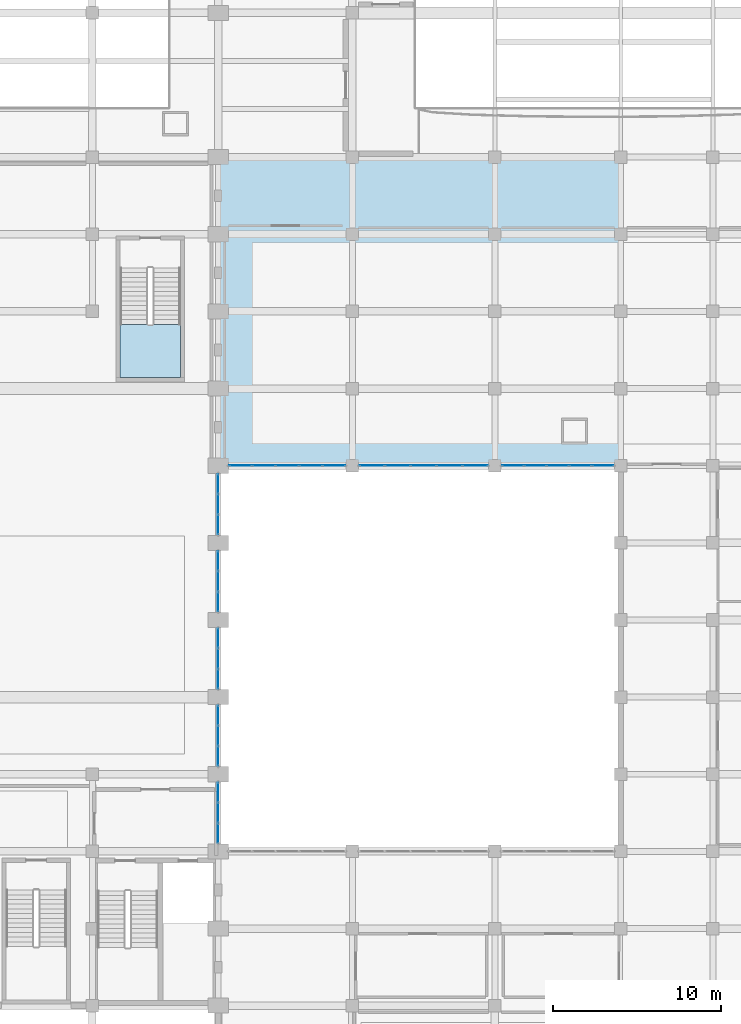
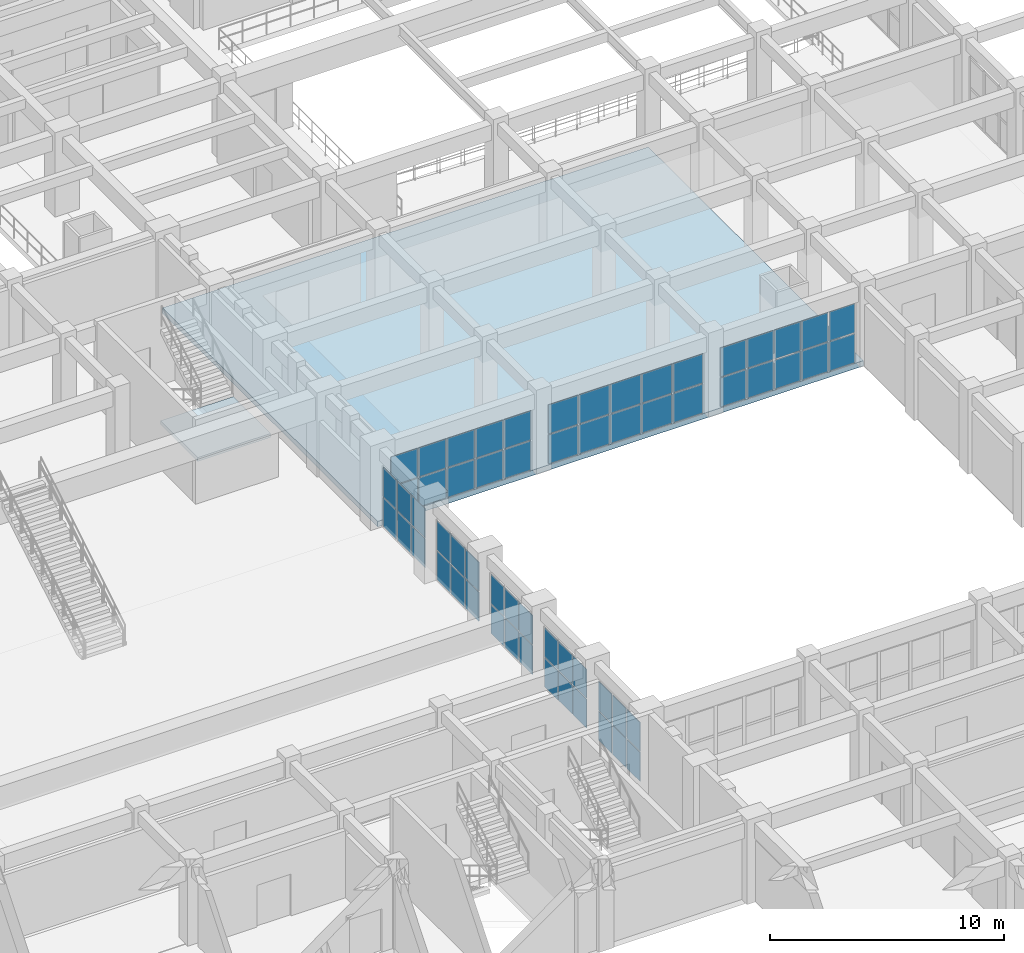
# One storey, part 92 of 116: 60 plates, 2 slabs, 9 elements without a shape of their own.
"""IFC4 building model written with IfcOpenShell, lengths in metres."""

from ifc_helpers import new_model, si_unit, direction, frame, origin, origin_2d, place, context, subcontext, project, spatial, polyline, rectangle, outline, extrude, material, layer, layer_set, type_object, element, aggregate, save


model = new_model("IFC4")

# Units and contexts
model_context = context("Model", 3, precision=1e-05, world=origin(), true_north=direction((0.0, 1.0)))
body_context = subcontext(model_context, "Body", "Model", "MODEL_VIEW")
ifc_project = project(units=[si_unit("LENGTHUNIT", "METRE"), si_unit("AREAUNIT", "SQUARE_METRE"), si_unit("VOLUMEUNIT", "CUBIC_METRE"), si_unit("PLANEANGLEUNIT", "RADIAN"), si_unit("MASSUNIT", "GRAM", prefix="KILO")], contexts=[model_context])

# Site, building, storey
site_placement = place(None, origin())
site = spatial("IfcSite", under=ifc_project, at=site_placement, CompositionType="ELEMENT")
building_placement = place(site_placement, origin())
building = spatial("IfcBuilding", under=site, at=building_placement, Name="Muzn Square Opera House", CompositionType="ELEMENT")
storey_placement = place(building_placement, frame((0.0, 0.0, 5.39990234375)))
storey = spatial("IfcBuildingStorey", under=building, at=storey_placement, Name="L01", CompositionType="ELEMENT", Elevation=5.39990234375)

# Curtain wall, plates
ifc_material_1 = material(Name="Low-E laminated acoustic double glazing", Category="glass")
ifc_layer_1 = layer(ifc_material_1, 0.159912109375, Name="Low-E laminated acoustic double glazing", Category="glass")
ifc_layer_set_1 = layer_set([ifc_layer_1], Name="Low-E laminated acoustic double glazing")
curtain_wall_type_1 = type_object("IfcCurtainWallType", Name="Glazed Curtain Wall EastVaultCourt 3700x3200", PredefinedType="USERDEFINED", material=ifc_layer_set_1)
curtain_wall_1_placement = place(storey_placement, origin())
curtain_wall_1 = element("IfcCurtainWall", 1, at=curtain_wall_1_placement, inside=storey, type_object=curtain_wall_type_1, Name="Glazed Curtain Wall CW-L01-040", ObjectType="GLAZED CURTAIN WALL", PredefinedType="USERDEFINED")
ifc_layer_2 = layer(ifc_material_1, 0.028076171875, Name="Low-E laminated acoustic double glazing", Category="glass")
ifc_layer_set_2 = layer_set([ifc_layer_2], Name="Low-E laminated acoustic double glazing")
plate_type = type_object("IfcPlateType", Name="Curtain Wall Acoustic Glazed Panel 28mm", PredefinedType="CURTAIN_PANEL", material=ifc_layer_set_2)
plate_1_placement = place(storey_placement, frame((133.0, 32.28173828125, 0.06005859375), z_axis=(0.0, 0.0, 1.0), x_axis=(0.0, 1.0, 0.0)))
plate_1 = element("IfcPlate", 2, at=plate_1_placement, type_object=plate_type, Name="CW-EVC-37x32 panel 1.1", PredefinedType="CURTAIN_PANEL", context=body_context, shape_type="SweptSolid", body=[
    extrude(rectangle(XDim=1.143310546875, YDim=0.028076171875, at=origin_2d()), origin(), (0.0, 0.0, 1.0), 1.510009765625),
])
plate_2_placement = place(storey_placement, frame((133.0, 32.28173828125, 1.6298828125), z_axis=(0.0, 0.0, 1.0), x_axis=(0.0, 1.0, 0.0)))
plate_2 = element("IfcPlate", 3, at=plate_2_placement, type_object=plate_type, Name="CW-EVC-37x32 panel 1.2", PredefinedType="CURTAIN_PANEL", context=body_context, shape_type="SweptSolid", body=[
    extrude(rectangle(XDim=1.143310546875, YDim=0.028076171875, at=origin_2d()), origin(), (0.0, 0.0, 1.0), 1.510009765625),
])
plate_3_placement = place(storey_placement, frame((133.0, 33.5, 0.06005859375), z_axis=(0.0, 0.0, 1.0), x_axis=(0.0, 1.0, 0.0)))
plate_3 = element("IfcPlate", 4, at=plate_3_placement, type_object=plate_type, Name="CW-EVC-37x32 panel 2.1", PredefinedType="CURTAIN_PANEL", context=body_context, shape_type="SweptSolid", body=[
    extrude(rectangle(XDim=1.17333984375, YDim=0.028076171875, at=origin_2d()), origin(), (0.0, 0.0, 1.0), 1.510009765625),
])
plate_4_placement = place(storey_placement, frame((133.0, 33.5, 1.6298828125), z_axis=(0.0, 0.0, 1.0), x_axis=(0.0, 1.0, 0.0)))
plate_4 = element("IfcPlate", 5, at=plate_4_placement, type_object=plate_type, Name="CW-EVC-37x32 panel 2.2", PredefinedType="CURTAIN_PANEL", context=body_context, shape_type="SweptSolid", body=[
    extrude(rectangle(XDim=1.17333984375, YDim=0.028076171875, at=origin_2d()), origin(), (0.0, 0.0, 1.0), 1.510009765625),
])
plate_5_placement = place(storey_placement, frame((133.0, 34.71826171875, 0.06005859375), z_axis=(0.0, 0.0, 1.0), x_axis=(0.0, 1.0, 0.0)))
plate_5 = element("IfcPlate", 6, at=plate_5_placement, type_object=plate_type, Name="CW-EVC-37x32 panel 3.1", PredefinedType="CURTAIN_PANEL", context=body_context, shape_type="SweptSolid", body=[
    extrude(rectangle(XDim=1.143310546875, YDim=0.028076171875, at=origin_2d()), origin(), (0.0, 0.0, 1.0), 1.510009765625),
])
plate_6_placement = place(storey_placement, frame((133.0, 34.71826171875, 1.6298828125), z_axis=(0.0, 0.0, 1.0), x_axis=(0.0, 1.0, 0.0)))
plate_6 = element("IfcPlate", 7, at=plate_6_placement, type_object=plate_type, Name="CW-EVC-37x32 panel 3.2", PredefinedType="CURTAIN_PANEL", context=body_context, shape_type="SweptSolid", body=[
    extrude(rectangle(XDim=1.143310546875, YDim=0.028076171875, at=origin_2d()), origin(), (0.0, 0.0, 1.0), 1.510009765625),
])
aggregate(curtain_wall_1, [plate_1, plate_2, plate_3, plate_4, plate_5, plate_6])

curtain_wall_2_placement = place(storey_placement, origin())
curtain_wall_2 = element("IfcCurtainWall", 8, at=curtain_wall_2_placement, inside=storey, type_object=curtain_wall_type_1, Name="Glazed Curtain Wall CW-L01-042", ObjectType="GLAZED CURTAIN WALL", PredefinedType="USERDEFINED")
plate_7_placement = place(storey_placement, frame((133.0, 36.881591796875, 0.06005859375), z_axis=(0.0, 0.0, 1.0), x_axis=(0.0, 1.0, 0.0)))
plate_7 = element("IfcPlate", 9, at=plate_7_placement, type_object=plate_type, Name="CW-EVC-37x32 panel 1.1", PredefinedType="CURTAIN_PANEL", context=body_context, shape_type="SweptSolid", body=[
    extrude(rectangle(XDim=1.143310546875, YDim=0.028076171875, at=origin_2d()), origin(), (0.0, 0.0, 1.0), 1.510009765625),
])
plate_8_placement = place(storey_placement, frame((133.0, 36.881591796875, 1.6298828125), z_axis=(0.0, 0.0, 1.0), x_axis=(0.0, 1.0, 0.0)))
plate_8 = element("IfcPlate", 10, at=plate_8_placement, type_object=plate_type, Name="CW-EVC-37x32 panel 1.2", PredefinedType="CURTAIN_PANEL", context=body_context, shape_type="SweptSolid", body=[
    extrude(rectangle(XDim=1.143310546875, YDim=0.028076171875, at=origin_2d()), origin(), (0.0, 0.0, 1.0), 1.510009765625),
])
plate_9_placement = place(storey_placement, frame((133.0, 38.10009765625, 0.06005859375), z_axis=(0.0, 0.0, 1.0), x_axis=(0.0, 1.0, 0.0)))
plate_9 = element("IfcPlate", 11, at=plate_9_placement, type_object=plate_type, Name="CW-EVC-37x32 panel 2.1", PredefinedType="CURTAIN_PANEL", context=body_context, shape_type="SweptSolid", body=[
    extrude(rectangle(XDim=1.17333984375, YDim=0.028076171875, at=origin_2d()), origin(), (0.0, 0.0, 1.0), 1.510009765625),
])
plate_10_placement = place(storey_placement, frame((133.0, 38.10009765625, 1.6298828125), z_axis=(0.0, 0.0, 1.0), x_axis=(0.0, 1.0, 0.0)))
plate_10 = element("IfcPlate", 12, at=plate_10_placement, type_object=plate_type, Name="CW-EVC-37x32 panel 2.2", PredefinedType="CURTAIN_PANEL", context=body_context, shape_type="SweptSolid", body=[
    extrude(rectangle(XDim=1.17333984375, YDim=0.028076171875, at=origin_2d()), origin(), (0.0, 0.0, 1.0), 1.510009765625),
])
plate_11_placement = place(storey_placement, frame((133.0, 39.318359375, 0.06005859375), z_axis=(0.0, 0.0, 1.0), x_axis=(0.0, 1.0, 0.0)))
plate_11 = element("IfcPlate", 13, at=plate_11_placement, type_object=plate_type, Name="CW-EVC-37x32 panel 3.1", PredefinedType="CURTAIN_PANEL", context=body_context, shape_type="SweptSolid", body=[
    extrude(rectangle(XDim=1.143310546875, YDim=0.028076171875, at=origin_2d()), origin(), (0.0, 0.0, 1.0), 1.510009765625),
])
plate_12_placement = place(storey_placement, frame((133.0, 39.318359375, 1.6298828125), z_axis=(0.0, 0.0, 1.0), x_axis=(0.0, 1.0, 0.0)))
plate_12 = element("IfcPlate", 14, at=plate_12_placement, type_object=plate_type, Name="CW-EVC-37x32 panel 3.2", PredefinedType="CURTAIN_PANEL", context=body_context, shape_type="SweptSolid", body=[
    extrude(rectangle(XDim=1.143310546875, YDim=0.028076171875, at=origin_2d()), origin(), (0.0, 0.0, 1.0), 1.510009765625),
])
aggregate(curtain_wall_2, [plate_7, plate_8, plate_9, plate_10, plate_11, plate_12])

curtain_wall_3_placement = place(storey_placement, origin())
curtain_wall_3 = element("IfcCurtainWall", 15, at=curtain_wall_3_placement, inside=storey, type_object=curtain_wall_type_1, Name="Glazed Curtain Wall CW-L01-044", ObjectType="GLAZED CURTAIN WALL", PredefinedType="USERDEFINED")
plate_13_placement = place(storey_placement, frame((133.0, 41.481689453125, 0.06005859375), z_axis=(0.0, 0.0, 1.0), x_axis=(0.0, 1.0, 0.0)))
plate_13 = element("IfcPlate", 16, at=plate_13_placement, type_object=plate_type, Name="CW-EVC-37x32 panel 1.1", PredefinedType="CURTAIN_PANEL", context=body_context, shape_type="SweptSolid", body=[
    extrude(rectangle(XDim=1.143310546875, YDim=0.028076171875, at=origin_2d()), origin(), (0.0, 0.0, 1.0), 1.510009765625),
])
plate_14_placement = place(storey_placement, frame((133.0, 41.481689453125, 1.6298828125), z_axis=(0.0, 0.0, 1.0), x_axis=(0.0, 1.0, 0.0)))
plate_14 = element("IfcPlate", 17, at=plate_14_placement, type_object=plate_type, Name="CW-EVC-37x32 panel 1.2", PredefinedType="CURTAIN_PANEL", context=body_context, shape_type="SweptSolid", body=[
    extrude(rectangle(XDim=1.143310546875, YDim=0.028076171875, at=origin_2d()), origin(), (0.0, 0.0, 1.0), 1.510009765625),
])
plate_15_placement = place(storey_placement, frame((133.0, 42.699951171875, 0.06005859375), z_axis=(0.0, 0.0, 1.0), x_axis=(0.0, 1.0, 0.0)))
plate_15 = element("IfcPlate", 18, at=plate_15_placement, type_object=plate_type, Name="CW-EVC-37x32 panel 2.1", PredefinedType="CURTAIN_PANEL", context=body_context, shape_type="SweptSolid", body=[
    extrude(rectangle(XDim=1.17333984375, YDim=0.028076171875, at=origin_2d()), origin(), (0.0, 0.0, 1.0), 1.510009765625),
])
plate_16_placement = place(storey_placement, frame((133.0, 42.699951171875, 1.6298828125), z_axis=(0.0, 0.0, 1.0), x_axis=(0.0, 1.0, 0.0)))
plate_16 = element("IfcPlate", 19, at=plate_16_placement, type_object=plate_type, Name="CW-EVC-37x32 panel 2.2", PredefinedType="CURTAIN_PANEL", context=body_context, shape_type="SweptSolid", body=[
    extrude(rectangle(XDim=1.17333984375, YDim=0.028076171875, at=origin_2d()), origin(), (0.0, 0.0, 1.0), 1.510009765625),
])
plate_17_placement = place(storey_placement, frame((133.0, 43.918212890625, 0.06005859375), z_axis=(0.0, 0.0, 1.0), x_axis=(0.0, 1.0, 0.0)))
plate_17 = element("IfcPlate", 20, at=plate_17_placement, type_object=plate_type, Name="CW-EVC-37x32 panel 3.1", PredefinedType="CURTAIN_PANEL", context=body_context, shape_type="SweptSolid", body=[
    extrude(rectangle(XDim=1.143310546875, YDim=0.028076171875, at=origin_2d()), origin(), (0.0, 0.0, 1.0), 1.510009765625),
])
plate_18_placement = place(storey_placement, frame((133.0, 43.918212890625, 1.6298828125), z_axis=(0.0, 0.0, 1.0), x_axis=(0.0, 1.0, 0.0)))
plate_18 = element("IfcPlate", 21, at=plate_18_placement, type_object=plate_type, Name="CW-EVC-37x32 panel 3.2", PredefinedType="CURTAIN_PANEL", context=body_context, shape_type="SweptSolid", body=[
    extrude(rectangle(XDim=1.143310546875, YDim=0.028076171875, at=origin_2d()), origin(), (0.0, 0.0, 1.0), 1.510009765625),
])
aggregate(curtain_wall_3, [plate_13, plate_14, plate_15, plate_16, plate_17, plate_18])

curtain_wall_4_placement = place(storey_placement, origin())
curtain_wall_4 = element("IfcCurtainWall", 22, at=curtain_wall_4_placement, inside=storey, type_object=curtain_wall_type_1, Name="Glazed Curtain Wall CW-L01-046", ObjectType="GLAZED CURTAIN WALL", PredefinedType="USERDEFINED")
plate_19_placement = place(storey_placement, frame((133.0, 46.081787109375, 0.06005859375), z_axis=(0.0, 0.0, 1.0), x_axis=(0.0, 1.0, 0.0)))
plate_19 = element("IfcPlate", 23, at=plate_19_placement, type_object=plate_type, Name="CW-EVC-37x32 panel 1.1", PredefinedType="CURTAIN_PANEL", context=body_context, shape_type="SweptSolid", body=[
    extrude(rectangle(XDim=1.143310546875, YDim=0.028076171875, at=origin_2d()), origin(), (0.0, 0.0, 1.0), 1.510009765625),
])
plate_20_placement = place(storey_placement, frame((133.0, 46.081787109375, 1.6298828125), z_axis=(0.0, 0.0, 1.0), x_axis=(0.0, 1.0, 0.0)))
plate_20 = element("IfcPlate", 24, at=plate_20_placement, type_object=plate_type, Name="CW-EVC-37x32 panel 1.2", PredefinedType="CURTAIN_PANEL", context=body_context, shape_type="SweptSolid", body=[
    extrude(rectangle(XDim=1.143310546875, YDim=0.028076171875, at=origin_2d()), origin(), (0.0, 0.0, 1.0), 1.510009765625),
])
plate_21_placement = place(storey_placement, frame((133.0, 47.300048828125, 0.06005859375), z_axis=(0.0, 0.0, 1.0), x_axis=(0.0, 1.0, 0.0)))
plate_21 = element("IfcPlate", 25, at=plate_21_placement, type_object=plate_type, Name="CW-EVC-37x32 panel 2.1", PredefinedType="CURTAIN_PANEL", context=body_context, shape_type="SweptSolid", body=[
    extrude(rectangle(XDim=1.17333984375, YDim=0.028076171875, at=origin_2d()), origin(), (0.0, 0.0, 1.0), 1.510009765625),
])
plate_22_placement = place(storey_placement, frame((133.0, 47.300048828125, 1.6298828125), z_axis=(0.0, 0.0, 1.0), x_axis=(0.0, 1.0, 0.0)))
plate_22 = element("IfcPlate", 26, at=plate_22_placement, type_object=plate_type, Name="CW-EVC-37x32 panel 2.2", PredefinedType="CURTAIN_PANEL", context=body_context, shape_type="SweptSolid", body=[
    extrude(rectangle(XDim=1.17333984375, YDim=0.028076171875, at=origin_2d()), origin(), (0.0, 0.0, 1.0), 1.510009765625),
])
plate_23_placement = place(storey_placement, frame((133.0, 48.518310546875, 0.06005859375), z_axis=(0.0, 0.0, 1.0), x_axis=(0.0, 1.0, 0.0)))
plate_23 = element("IfcPlate", 27, at=plate_23_placement, type_object=plate_type, Name="CW-EVC-37x32 panel 3.1", PredefinedType="CURTAIN_PANEL", context=body_context, shape_type="SweptSolid", body=[
    extrude(rectangle(XDim=1.143310546875, YDim=0.028076171875, at=origin_2d()), origin(), (0.0, 0.0, 1.0), 1.510009765625),
])
plate_24_placement = place(storey_placement, frame((133.0, 48.518310546875, 1.6298828125), z_axis=(0.0, 0.0, 1.0), x_axis=(0.0, 1.0, 0.0)))
plate_24 = element("IfcPlate", 28, at=plate_24_placement, type_object=plate_type, Name="CW-EVC-37x32 panel 3.2", PredefinedType="CURTAIN_PANEL", context=body_context, shape_type="SweptSolid", body=[
    extrude(rectangle(XDim=1.143310546875, YDim=0.028076171875, at=origin_2d()), origin(), (0.0, 0.0, 1.0), 1.510009765625),
])
aggregate(curtain_wall_4, [plate_19, plate_20, plate_21, plate_22, plate_23, plate_24])

curtain_wall_5_placement = place(storey_placement, origin())
curtain_wall_5 = element("IfcCurtainWall", 29, at=curtain_wall_5_placement, inside=storey, type_object=curtain_wall_type_1, Name="Glazed Curtain Wall CW-L01-048", ObjectType="GLAZED CURTAIN WALL", PredefinedType="USERDEFINED")
plate_25_placement = place(storey_placement, frame((133.0, 50.681640625, 0.06005859375), z_axis=(0.0, 0.0, 1.0), x_axis=(0.0, 1.0, 0.0)))
plate_25 = element("IfcPlate", 30, at=plate_25_placement, type_object=plate_type, Name="CW-EVC-37x32 panel 1.1", PredefinedType="CURTAIN_PANEL", context=body_context, shape_type="SweptSolid", body=[
    extrude(rectangle(XDim=1.143310546875, YDim=0.028076171875, at=origin_2d()), origin(), (0.0, 0.0, 1.0), 1.510009765625),
])
plate_26_placement = place(storey_placement, frame((133.0, 50.681640625, 1.6298828125), z_axis=(0.0, 0.0, 1.0), x_axis=(0.0, 1.0, 0.0)))
plate_26 = element("IfcPlate", 31, at=plate_26_placement, type_object=plate_type, Name="CW-EVC-37x32 panel 1.2", PredefinedType="CURTAIN_PANEL", context=body_context, shape_type="SweptSolid", body=[
    extrude(rectangle(XDim=1.143310546875, YDim=0.028076171875, at=origin_2d()), origin(), (0.0, 0.0, 1.0), 1.510009765625),
])
plate_27_placement = place(storey_placement, frame((133.0, 51.89990234375, 0.06005859375), z_axis=(0.0, 0.0, 1.0), x_axis=(0.0, 1.0, 0.0)))
plate_27 = element("IfcPlate", 32, at=plate_27_placement, type_object=plate_type, Name="CW-EVC-37x32 panel 2.1", PredefinedType="CURTAIN_PANEL", context=body_context, shape_type="SweptSolid", body=[
    extrude(rectangle(XDim=1.17333984375, YDim=0.028076171875, at=origin_2d()), origin(), (0.0, 0.0, 1.0), 1.510009765625),
])
plate_28_placement = place(storey_placement, frame((133.0, 51.89990234375, 1.6298828125), z_axis=(0.0, 0.0, 1.0), x_axis=(0.0, 1.0, 0.0)))
plate_28 = element("IfcPlate", 33, at=plate_28_placement, type_object=plate_type, Name="CW-EVC-37x32 panel 2.2", PredefinedType="CURTAIN_PANEL", context=body_context, shape_type="SweptSolid", body=[
    extrude(rectangle(XDim=1.17333984375, YDim=0.028076171875, at=origin_2d()), origin(), (0.0, 0.0, 1.0), 1.510009765625),
])
plate_29_placement = place(storey_placement, frame((133.0, 53.118408203125, 0.06005859375), z_axis=(0.0, 0.0, 1.0), x_axis=(0.0, 1.0, 0.0)))
plate_29 = element("IfcPlate", 34, at=plate_29_placement, type_object=plate_type, Name="CW-EVC-37x32 panel 3.1", PredefinedType="CURTAIN_PANEL", context=body_context, shape_type="SweptSolid", body=[
    extrude(rectangle(XDim=1.143310546875, YDim=0.028076171875, at=origin_2d()), origin(), (0.0, 0.0, 1.0), 1.510009765625),
])
plate_30_placement = place(storey_placement, frame((133.0, 53.118408203125, 1.6298828125), z_axis=(0.0, 0.0, 1.0), x_axis=(0.0, 1.0, 0.0)))
plate_30 = element("IfcPlate", 35, at=plate_30_placement, type_object=plate_type, Name="CW-EVC-37x32 panel 3.2", PredefinedType="CURTAIN_PANEL", context=body_context, shape_type="SweptSolid", body=[
    extrude(rectangle(XDim=1.143310546875, YDim=0.028076171875, at=origin_2d()), origin(), (0.0, 0.0, 1.0), 1.510009765625),
])
aggregate(curtain_wall_5, [plate_25, plate_26, plate_27, plate_28, plate_29, plate_30])

ifc_layer_3 = layer(ifc_material_1, 0.159912109375, Name="Low-E laminated acoustic double glazing", Category="glass")
ifc_layer_set_3 = layer_set([ifc_layer_3], Name="Low-E laminated acoustic double glazing")
curtain_wall_type_2 = type_object("IfcCurtainWallType", Name="Glazed Curtain Wall EastCloisterN 7025x3200", PredefinedType="USERDEFINED", material=ifc_layer_set_3)
curtain_wall_6_placement = place(storey_placement, origin())
curtain_wall_6 = element("IfcCurtainWall", 36, at=curtain_wall_6_placement, inside=storey, type_object=curtain_wall_type_2, Name="Glazed Curtain Wall CW-L01-088", ObjectType="GLAZED CURTAIN WALL", PredefinedType="USERDEFINED")
plate_31_placement = place(storey_placement, frame((134.3173828125, 54.199951171875, 0.06005859375), z_axis=(0.0, 0.0, 1.0), x_axis=(1.0, 0.0, 0.0)))
plate_31 = element("IfcPlate", 37, at=plate_31_placement, type_object=plate_type, Name="CW-ECN-70x32 panel 1.1", PredefinedType="CURTAIN_PANEL", context=body_context, shape_type="SweptSolid", body=[
    extrude(rectangle(XDim=1.31494140625, YDim=0.028076171875, at=origin_2d()), origin(), (0.0, 0.0, 1.0), 1.510009765625),
])
plate_32_placement = place(storey_placement, frame((134.3173828125, 54.199951171875, 1.6298828125), z_axis=(0.0, 0.0, 1.0), x_axis=(1.0, 0.0, 0.0)))
plate_32 = element("IfcPlate", 38, at=plate_32_placement, type_object=plate_type, Name="CW-ECN-70x32 panel 1.2", PredefinedType="CURTAIN_PANEL", context=body_context, shape_type="SweptSolid", body=[
    extrude(rectangle(XDim=1.31494140625, YDim=0.028076171875, at=origin_2d()), origin(), (0.0, 0.0, 1.0), 1.510009765625),
])
plate_33_placement = place(storey_placement, frame((135.70751953125, 54.199951171875, 0.06005859375), z_axis=(0.0, 0.0, 1.0), x_axis=(1.0, 0.0, 0.0)))
plate_33 = element("IfcPlate", 39, at=plate_33_placement, type_object=plate_type, Name="CW-ECN-70x32 panel 2.1", PredefinedType="CURTAIN_PANEL", context=body_context, shape_type="SweptSolid", body=[
    extrude(rectangle(XDim=1.344970703125, YDim=0.028076171875, at=origin_2d()), origin(), (0.0, 0.0, 1.0), 1.510009765625),
])
plate_34_placement = place(storey_placement, frame((135.70751953125, 54.199951171875, 1.6298828125), z_axis=(0.0, 0.0, 1.0), x_axis=(1.0, 0.0, 0.0)))
plate_34 = element("IfcPlate", 40, at=plate_34_placement, type_object=plate_type, Name="CW-ECN-70x32 panel 2.2", PredefinedType="CURTAIN_PANEL", context=body_context, shape_type="SweptSolid", body=[
    extrude(rectangle(XDim=1.344970703125, YDim=0.028076171875, at=origin_2d()), origin(), (0.0, 0.0, 1.0), 1.510009765625),
])
plate_35_placement = place(storey_placement, frame((137.112548828125, 54.199951171875, 0.06005859375), z_axis=(0.0, 0.0, 1.0), x_axis=(1.0, 0.0, 0.0)))
plate_35 = element("IfcPlate", 41, at=plate_35_placement, type_object=plate_type, Name="CW-ECN-70x32 panel 3.1", PredefinedType="CURTAIN_PANEL", context=body_context, shape_type="SweptSolid", body=[
    extrude(rectangle(XDim=1.344970703125, YDim=0.028076171875, at=origin_2d()), origin(), (0.0, 0.0, 1.0), 1.510009765625),
])
plate_36_placement = place(storey_placement, frame((137.112548828125, 54.199951171875, 1.6298828125), z_axis=(0.0, 0.0, 1.0), x_axis=(1.0, 0.0, 0.0)))
plate_36 = element("IfcPlate", 42, at=plate_36_placement, type_object=plate_type, Name="CW-ECN-70x32 panel 3.2", PredefinedType="CURTAIN_PANEL", context=body_context, shape_type="SweptSolid", body=[
    extrude(rectangle(XDim=1.344970703125, YDim=0.028076171875, at=origin_2d()), origin(), (0.0, 0.0, 1.0), 1.510009765625),
])
plate_37_placement = place(storey_placement, frame((138.517578125, 54.199951171875, 0.06005859375), z_axis=(0.0, 0.0, 1.0), x_axis=(1.0, 0.0, 0.0)))
plate_37 = element("IfcPlate", 43, at=plate_37_placement, type_object=plate_type, Name="CW-ECN-70x32 panel 4.1", PredefinedType="CURTAIN_PANEL", context=body_context, shape_type="SweptSolid", body=[
    extrude(rectangle(XDim=1.344970703125, YDim=0.028076171875, at=origin_2d()), origin(), (0.0, 0.0, 1.0), 1.510009765625),
])
plate_38_placement = place(storey_placement, frame((138.517578125, 54.199951171875, 1.6298828125), z_axis=(0.0, 0.0, 1.0), x_axis=(1.0, 0.0, 0.0)))
plate_38 = element("IfcPlate", 44, at=plate_38_placement, type_object=plate_type, Name="CW-ECN-70x32 panel 4.2", PredefinedType="CURTAIN_PANEL", context=body_context, shape_type="SweptSolid", body=[
    extrude(rectangle(XDim=1.344970703125, YDim=0.028076171875, at=origin_2d()), origin(), (0.0, 0.0, 1.0), 1.510009765625),
])
plate_39_placement = place(storey_placement, frame((139.907470703125, 54.199951171875, 0.06005859375), z_axis=(0.0, 0.0, 1.0), x_axis=(1.0, 0.0, 0.0)))
plate_39 = element("IfcPlate", 45, at=plate_39_placement, type_object=plate_type, Name="CW-ECN-70x32 panel 5.1", PredefinedType="CURTAIN_PANEL", context=body_context, shape_type="SweptSolid", body=[
    extrude(rectangle(XDim=1.31494140625, YDim=0.028076171875, at=origin_2d()), origin(), (0.0, 0.0, 1.0), 1.510009765625),
])
plate_40_placement = place(storey_placement, frame((139.907470703125, 54.199951171875, 1.6298828125), z_axis=(0.0, 0.0, 1.0), x_axis=(1.0, 0.0, 0.0)))
plate_40 = element("IfcPlate", 46, at=plate_40_placement, type_object=plate_type, Name="CW-ECN-70x32 panel 5.2", PredefinedType="CURTAIN_PANEL", context=body_context, shape_type="SweptSolid", body=[
    extrude(rectangle(XDim=1.31494140625, YDim=0.028076171875, at=origin_2d()), origin(), (0.0, 0.0, 1.0), 1.510009765625),
])
aggregate(curtain_wall_6, [plate_31, plate_32, plate_33, plate_34, plate_35, plate_36, plate_37, plate_38, plate_39, plate_40])

ifc_layer_4 = layer(ifc_material_1, 0.159912109375, Name="Low-E laminated acoustic double glazing", Category="glass")
ifc_layer_set_4 = layer_set([ifc_layer_4], Name="Low-E laminated acoustic double glazing")
curtain_wall_type_3 = type_object("IfcCurtainWallType", Name="Glazed Curtain Wall EastCloisterN 7750x3200", PredefinedType="USERDEFINED", material=ifc_layer_set_4)
curtain_wall_7_placement = place(storey_placement, origin())
curtain_wall_7 = element("IfcCurtainWall", 47, at=curtain_wall_7_placement, inside=storey, type_object=curtain_wall_type_3, Name="Glazed Curtain Wall CW-L01-090", ObjectType="GLAZED CURTAIN WALL", PredefinedType="USERDEFINED")
plate_41_placement = place(storey_placement, frame((142.1650390625, 54.199951171875, 0.06005859375), z_axis=(0.0, 0.0, 1.0), x_axis=(1.0, 0.0, 0.0)))
plate_41 = element("IfcPlate", 48, at=plate_41_placement, type_object=plate_type, Name="CW-ECN-77x32 panel 1.1", PredefinedType="CURTAIN_PANEL", context=body_context, shape_type="SweptSolid", body=[
    extrude(rectangle(XDim=1.4599609375, YDim=0.028076171875, at=origin_2d()), origin(), (0.0, 0.0, 1.0), 1.510009765625),
])
plate_42_placement = place(storey_placement, frame((142.1650390625, 54.199951171875, 1.6298828125), z_axis=(0.0, 0.0, 1.0), x_axis=(1.0, 0.0, 0.0)))
plate_42 = element("IfcPlate", 49, at=plate_42_placement, type_object=plate_type, Name="CW-ECN-77x32 panel 1.2", PredefinedType="CURTAIN_PANEL", context=body_context, shape_type="SweptSolid", body=[
    extrude(rectangle(XDim=1.4599609375, YDim=0.028076171875, at=origin_2d()), origin(), (0.0, 0.0, 1.0), 1.510009765625),
])
plate_43_placement = place(storey_placement, frame((143.699951171875, 54.199951171875, 0.06005859375), z_axis=(0.0, 0.0, 1.0), x_axis=(1.0, 0.0, 0.0)))
plate_43 = element("IfcPlate", 50, at=plate_43_placement, type_object=plate_type, Name="CW-ECN-77x32 panel 2.1", PredefinedType="CURTAIN_PANEL", context=body_context, shape_type="SweptSolid", body=[
    extrude(rectangle(XDim=1.489990234375, YDim=0.028076171875, at=origin_2d()), origin(), (0.0, 0.0, 1.0), 1.510009765625),
])
plate_44_placement = place(storey_placement, frame((143.699951171875, 54.199951171875, 1.6298828125), z_axis=(0.0, 0.0, 1.0), x_axis=(1.0, 0.0, 0.0)))
plate_44 = element("IfcPlate", 51, at=plate_44_placement, type_object=plate_type, Name="CW-ECN-77x32 panel 2.2", PredefinedType="CURTAIN_PANEL", context=body_context, shape_type="SweptSolid", body=[
    extrude(rectangle(XDim=1.489990234375, YDim=0.028076171875, at=origin_2d()), origin(), (0.0, 0.0, 1.0), 1.510009765625),
])
plate_45_placement = place(storey_placement, frame((145.25, 54.199951171875, 0.06005859375), z_axis=(0.0, 0.0, 1.0), x_axis=(1.0, 0.0, 0.0)))
plate_45 = element("IfcPlate", 52, at=plate_45_placement, type_object=plate_type, Name="CW-ECN-77x32 panel 3.1", PredefinedType="CURTAIN_PANEL", context=body_context, shape_type="SweptSolid", body=[
    extrude(rectangle(XDim=1.489990234375, YDim=0.028076171875, at=origin_2d()), origin(), (0.0, 0.0, 1.0), 1.510009765625),
])
plate_46_placement = place(storey_placement, frame((145.25, 54.199951171875, 1.6298828125), z_axis=(0.0, 0.0, 1.0), x_axis=(1.0, 0.0, 0.0)))
plate_46 = element("IfcPlate", 53, at=plate_46_placement, type_object=plate_type, Name="CW-ECN-77x32 panel 3.2", PredefinedType="CURTAIN_PANEL", context=body_context, shape_type="SweptSolid", body=[
    extrude(rectangle(XDim=1.489990234375, YDim=0.028076171875, at=origin_2d()), origin(), (0.0, 0.0, 1.0), 1.510009765625),
])
plate_47_placement = place(storey_placement, frame((146.800048828125, 54.199951171875, 0.06005859375), z_axis=(0.0, 0.0, 1.0), x_axis=(1.0, 0.0, 0.0)))
plate_47 = element("IfcPlate", 54, at=plate_47_placement, type_object=plate_type, Name="CW-ECN-77x32 panel 4.1", PredefinedType="CURTAIN_PANEL", context=body_context, shape_type="SweptSolid", body=[
    extrude(rectangle(XDim=1.489990234375, YDim=0.028076171875, at=origin_2d()), origin(), (0.0, 0.0, 1.0), 1.510009765625),
])
plate_48_placement = place(storey_placement, frame((146.800048828125, 54.199951171875, 1.6298828125), z_axis=(0.0, 0.0, 1.0), x_axis=(1.0, 0.0, 0.0)))
plate_48 = element("IfcPlate", 55, at=plate_48_placement, type_object=plate_type, Name="CW-ECN-77x32 panel 4.2", PredefinedType="CURTAIN_PANEL", context=body_context, shape_type="SweptSolid", body=[
    extrude(rectangle(XDim=1.489990234375, YDim=0.028076171875, at=origin_2d()), origin(), (0.0, 0.0, 1.0), 1.510009765625),
])
plate_49_placement = place(storey_placement, frame((148.3349609375, 54.199951171875, 0.06005859375), z_axis=(0.0, 0.0, 1.0), x_axis=(1.0, 0.0, 0.0)))
plate_49 = element("IfcPlate", 56, at=plate_49_placement, type_object=plate_type, Name="CW-ECN-77x32 panel 5.1", PredefinedType="CURTAIN_PANEL", context=body_context, shape_type="SweptSolid", body=[
    extrude(rectangle(XDim=1.4599609375, YDim=0.028076171875, at=origin_2d()), origin(), (0.0, 0.0, 1.0), 1.510009765625),
])
plate_50_placement = place(storey_placement, frame((148.3349609375, 54.199951171875, 1.6298828125), z_axis=(0.0, 0.0, 1.0), x_axis=(1.0, 0.0, 0.0)))
plate_50 = element("IfcPlate", 57, at=plate_50_placement, type_object=plate_type, Name="CW-ECN-77x32 panel 5.2", PredefinedType="CURTAIN_PANEL", context=body_context, shape_type="SweptSolid", body=[
    extrude(rectangle(XDim=1.4599609375, YDim=0.028076171875, at=origin_2d()), origin(), (0.0, 0.0, 1.0), 1.510009765625),
])
aggregate(curtain_wall_7, [plate_41, plate_42, plate_43, plate_44, plate_45, plate_46, plate_47, plate_48, plate_49, plate_50])

ifc_layer_5 = layer(ifc_material_1, 0.159912109375, Name="Low-E laminated acoustic double glazing", Category="glass")
ifc_layer_set_5 = layer_set([ifc_layer_5], Name="Low-E laminated acoustic double glazing")
curtain_wall_type_4 = type_object("IfcCurtainWallType", Name="Glazed Curtain Wall EastCloisterN 6750x3200", PredefinedType="USERDEFINED", material=ifc_layer_set_5)
curtain_wall_8_placement = place(storey_placement, origin())
curtain_wall_8 = element("IfcCurtainWall", 58, at=curtain_wall_8_placement, inside=storey, type_object=curtain_wall_type_4, Name="Glazed Curtain Wall CW-L01-092", ObjectType="GLAZED CURTAIN WALL", PredefinedType="USERDEFINED")
plate_51_placement = place(storey_placement, frame((150.56494140625, 54.199951171875, 0.06005859375), z_axis=(0.0, 0.0, 1.0), x_axis=(1.0, 0.0, 0.0)))
plate_51 = element("IfcPlate", 59, at=plate_51_placement, type_object=plate_type, Name="CW-ECN-67x32 panel 1.1", PredefinedType="CURTAIN_PANEL", context=body_context, shape_type="SweptSolid", body=[
    extrude(rectangle(XDim=1.260009765625, YDim=0.028076171875, at=origin_2d()), origin(), (0.0, 0.0, 1.0), 1.510009765625),
])
plate_52_placement = place(storey_placement, frame((150.56494140625, 54.199951171875, 1.6298828125), z_axis=(0.0, 0.0, 1.0), x_axis=(1.0, 0.0, 0.0)))
plate_52 = element("IfcPlate", 60, at=plate_52_placement, type_object=plate_type, Name="CW-ECN-67x32 panel 1.2", PredefinedType="CURTAIN_PANEL", context=body_context, shape_type="SweptSolid", body=[
    extrude(rectangle(XDim=1.260009765625, YDim=0.028076171875, at=origin_2d()), origin(), (0.0, 0.0, 1.0), 1.510009765625),
])
plate_53_placement = place(storey_placement, frame((151.89990234375, 54.199951171875, 0.06005859375), z_axis=(0.0, 0.0, 1.0), x_axis=(1.0, 0.0, 0.0)))
plate_53 = element("IfcPlate", 61, at=plate_53_placement, type_object=plate_type, Name="CW-ECN-67x32 panel 2.1", PredefinedType="CURTAIN_PANEL", context=body_context, shape_type="SweptSolid", body=[
    extrude(rectangle(XDim=1.2900390625, YDim=0.028076171875, at=origin_2d()), origin(), (0.0, 0.0, 1.0), 1.510009765625),
])
plate_54_placement = place(storey_placement, frame((151.89990234375, 54.199951171875, 1.6298828125), z_axis=(0.0, 0.0, 1.0), x_axis=(1.0, 0.0, 0.0)))
plate_54 = element("IfcPlate", 62, at=plate_54_placement, type_object=plate_type, Name="CW-ECN-67x32 panel 2.2", PredefinedType="CURTAIN_PANEL", context=body_context, shape_type="SweptSolid", body=[
    extrude(rectangle(XDim=1.2900390625, YDim=0.028076171875, at=origin_2d()), origin(), (0.0, 0.0, 1.0), 1.510009765625),
])
plate_55_placement = place(storey_placement, frame((153.25, 54.199951171875, 0.06005859375), z_axis=(0.0, 0.0, 1.0), x_axis=(1.0, 0.0, 0.0)))
plate_55 = element("IfcPlate", 63, at=plate_55_placement, type_object=plate_type, Name="CW-ECN-67x32 panel 3.1", PredefinedType="CURTAIN_PANEL", context=body_context, shape_type="SweptSolid", body=[
    extrude(rectangle(XDim=1.2900390625, YDim=0.028076171875, at=origin_2d()), origin(), (0.0, 0.0, 1.0), 1.510009765625),
])
plate_56_placement = place(storey_placement, frame((153.25, 54.199951171875, 1.6298828125), z_axis=(0.0, 0.0, 1.0), x_axis=(1.0, 0.0, 0.0)))
plate_56 = element("IfcPlate", 64, at=plate_56_placement, type_object=plate_type, Name="CW-ECN-67x32 panel 3.2", PredefinedType="CURTAIN_PANEL", context=body_context, shape_type="SweptSolid", body=[
    extrude(rectangle(XDim=1.2900390625, YDim=0.028076171875, at=origin_2d()), origin(), (0.0, 0.0, 1.0), 1.510009765625),
])
plate_57_placement = place(storey_placement, frame((154.60009765625, 54.199951171875, 0.06005859375), z_axis=(0.0, 0.0, 1.0), x_axis=(1.0, 0.0, 0.0)))
plate_57 = element("IfcPlate", 65, at=plate_57_placement, type_object=plate_type, Name="CW-ECN-67x32 panel 4.1", PredefinedType="CURTAIN_PANEL", context=body_context, shape_type="SweptSolid", body=[
    extrude(rectangle(XDim=1.2900390625, YDim=0.028076171875, at=origin_2d()), origin(), (0.0, 0.0, 1.0), 1.510009765625),
])
plate_58_placement = place(storey_placement, frame((154.60009765625, 54.199951171875, 1.6298828125), z_axis=(0.0, 0.0, 1.0), x_axis=(1.0, 0.0, 0.0)))
plate_58 = element("IfcPlate", 66, at=plate_58_placement, type_object=plate_type, Name="CW-ECN-67x32 panel 4.2", PredefinedType="CURTAIN_PANEL", context=body_context, shape_type="SweptSolid", body=[
    extrude(rectangle(XDim=1.2900390625, YDim=0.028076171875, at=origin_2d()), origin(), (0.0, 0.0, 1.0), 1.510009765625),
])
plate_59_placement = place(storey_placement, frame((155.93505859375, 54.199951171875, 0.06005859375), z_axis=(0.0, 0.0, 1.0), x_axis=(1.0, 0.0, 0.0)))
plate_59 = element("IfcPlate", 67, at=plate_59_placement, type_object=plate_type, Name="CW-ECN-67x32 panel 5.1", PredefinedType="CURTAIN_PANEL", context=body_context, shape_type="SweptSolid", body=[
    extrude(rectangle(XDim=1.260009765625, YDim=0.028076171875, at=origin_2d()), origin(), (0.0, 0.0, 1.0), 1.510009765625),
])
plate_60_placement = place(storey_placement, frame((155.93505859375, 54.199951171875, 1.6298828125), z_axis=(0.0, 0.0, 1.0), x_axis=(1.0, 0.0, 0.0)))
plate_60 = element("IfcPlate", 68, at=plate_60_placement, type_object=plate_type, Name="CW-ECN-67x32 panel 5.2", PredefinedType="CURTAIN_PANEL", context=body_context, shape_type="SweptSolid", body=[
    extrude(rectangle(XDim=1.260009765625, YDim=0.028076171875, at=origin_2d()), origin(), (0.0, 0.0, 1.0), 1.510009765625),
])
aggregate(curtain_wall_8, [plate_51, plate_52, plate_53, plate_54, plate_55, plate_56, plate_57, plate_58, plate_59, plate_60])

# Slab
ifc_material_2 = material(Name="Concrete C40/50", Category="concrete")
ifc_layer_6 = layer(ifc_material_2, 0.280029296875, Name="Concrete C40/50", Category="concrete")
ifc_layer_set_6 = layer_set([ifc_layer_6], Name="Concrete C40/50")
slab_type_1 = type_object("IfcSlabType", Name="Floor Slab 280mm", PredefinedType="FLOOR", material=ifc_layer_set_6)
slab_1_placement = place(storey_placement, frame((0.0, 0.0, -0.27978515625)))
element("IfcSlab", 69, at=slab_1_placement, inside=storey, type_object=slab_type_1, Name="Floor Slab SLB-L01-EMID", PredefinedType="FLOOR", context=body_context, shape_type="SweptSolid", body=[
    extrude(outline(polyline([(133.0, 54.199951171875), (157.0, 54.199951171875), (157.0, 72.60009765625), (133.0, 72.60009765625), (133.0, 54.199951171875)]), holes=[polyline([(153.60009765625, 55.60009765625), (154.89990234375, 55.60009765625), (154.89990234375, 56.89990234375), (153.60009765625, 56.89990234375), (153.60009765625, 55.60009765625)])]), origin(), (0.0, 0.0, 1.0), 0.27978515625),
])

# Stair, slab
stair_type = type_object("IfcStairType", Name="Core Escape Dogleg Stair", PredefinedType="HALF_TURN_STAIR", material=ifc_material_2)
stair_placement = place(storey_placement, origin())
stair = element("IfcStair", 70, at=stair_placement, inside=storey, type_object=stair_type, Name="L01 Escape Stair ST-10", PredefinedType="HALF_TURN_STAIR")
ifc_layer_7 = layer(ifc_material_2, 0.199951171875, Name="Concrete C40/50", Category="concrete")
ifc_layer_set_7 = layer_set([ifc_layer_7], Name="Concrete C40/50")
slab_type_2 = type_object("IfcSlabType", Name="Stair Half Landing 200mm", PredefinedType="LANDING", material=ifc_layer_set_7)
slab_2_placement = place(storey_placement, frame((0.0, 0.0, 2.0)))
slab_2 = element("IfcSlab", 71, at=slab_2_placement, type_object=slab_type_2, Name="ST-10 landing 1", PredefinedType="LANDING", context=body_context, shape_type="SweptSolid", body=[
    extrude(outline(polyline([(127.14990234375, 62.6298828125), (127.14990234375, 59.449951171875), (130.75, 59.449951171875), (130.75, 62.6298828125), (127.14990234375, 62.6298828125)])), origin(), (0.0, 0.0, 1.0), 0.2001953125),
])
aggregate(stair, [slab_2])

save(model, "model.ifc")
